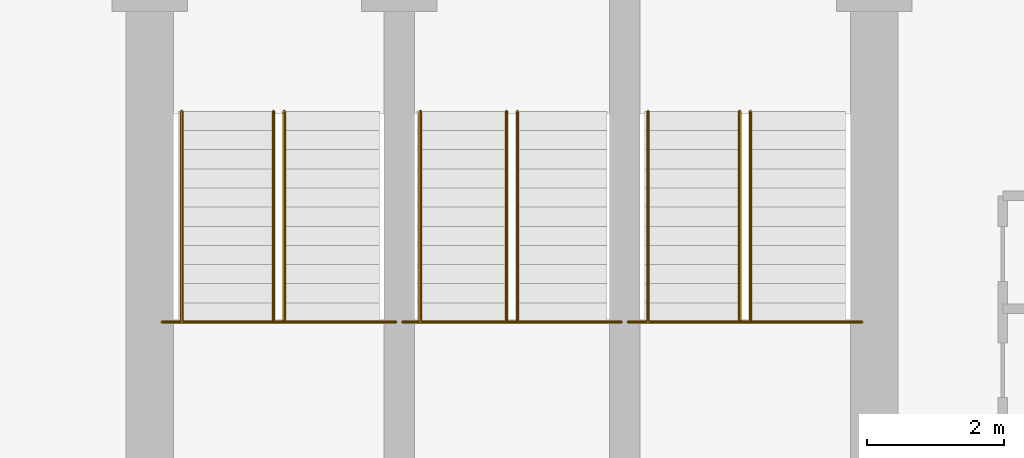
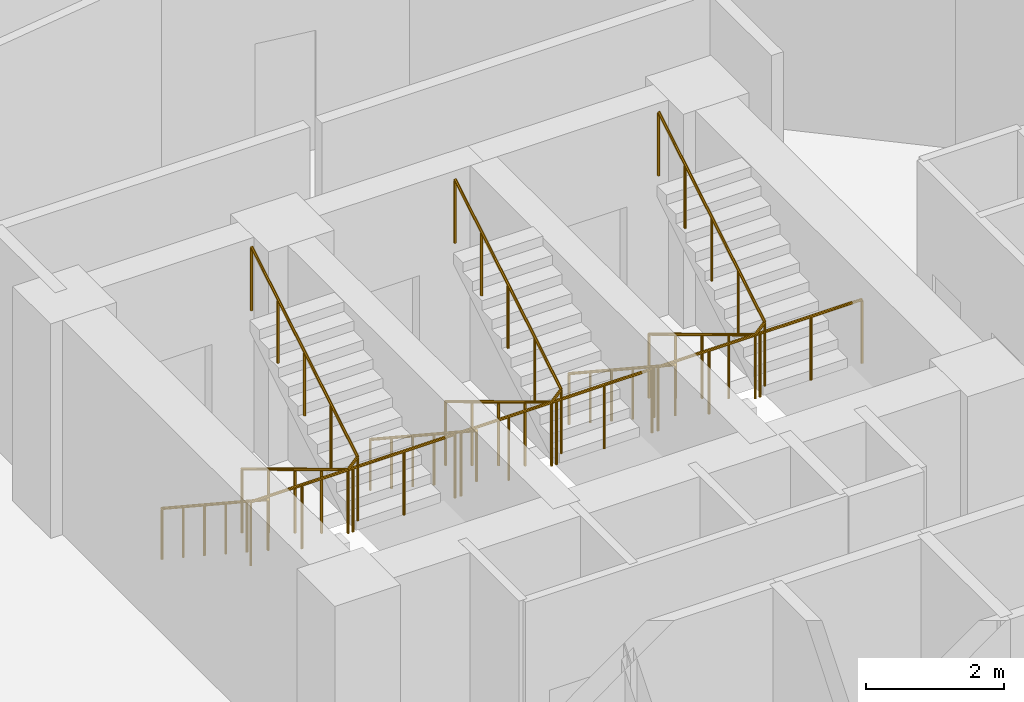
# One storey, part 26 of 26: 9 railings.
"""IFC4 building model written with IfcOpenShell, lengths in metres."""

from ifc_helpers import new_model, si_unit, direction, frame, origin, place, context, subcontext, project, spatial, polyline, outline, extrude, material, type_object, element, save


model = new_model("IFC4")

# Units and contexts
model_context = context("Model", 3, precision=1e-05, world=origin(), true_north=direction((0.0, 1.0)))
body_context = subcontext(model_context, "Body", "Model", "MODEL_VIEW")
ifc_project = project(units=[si_unit("LENGTHUNIT", "METRE"), si_unit("AREAUNIT", "SQUARE_METRE"), si_unit("VOLUMEUNIT", "CUBIC_METRE"), si_unit("PLANEANGLEUNIT", "RADIAN"), si_unit("MASSUNIT", "GRAM", prefix="KILO")], contexts=[model_context])

# Site, building, storey
site_placement = place(None, origin())
site = spatial("IfcSite", under=ifc_project, at=site_placement, CompositionType="ELEMENT")
building_placement = place(site_placement, origin())
building = spatial("IfcBuilding", under=site, at=building_placement, Name="Nuhasar Tower", CompositionType="ELEMENT")
storey_placement = place(building_placement, frame((0.0, 0.0, 93.89990234375)))
storey = spatial("IfcBuildingStorey", under=building, at=storey_placement, Name="L22", CompositionType="ELEMENT", Elevation=93.89990234375)

# Railings
ifc_material_1 = material(Name="Steel S355", Category="steel")
railing_type_1 = type_object("IfcRailingType", Name="RLG-STAIR-GUARD-1150", PredefinedType="GUARDRAIL", material=ifc_material_1)
railing_1_placement = place(storey_placement, frame((33.8798828125, 32.205078125, 2.025146484375)))
element("IfcRailing", 1, at=railing_1_placement, inside=storey, type_object=railing_type_1, Name="L22 Stair ST-01 Guardrail LND", PredefinedType="GUARDRAIL", context=body_context, shape_type="SweptSolid", body=[
    extrude(outline(polyline([(0.024169921875, 0.0), (0.01708984375, 0.01708984375), (0.0, 0.024169921875), (-0.01708984375, 0.01708984375), (-0.024169921875, 0.0), (-0.01708984375, -0.01708984375), (0.0, -0.024169921875), (0.01708984375, -0.01708984375), (0.024169921875, 0.0)])), frame((0.0, 0.0, 1.1259765625), z_axis=(1.0, 0.0, 0.0), x_axis=(0.0, 1.0, 0.0)), (0.0, 0.0, 1.0), 3.420166015625),
    extrude(outline(polyline([(0.02099609375, 0.0), (0.014892578125, 0.014892578125), (0.0, 0.02099609375), (-0.014892578125, 0.014892578125), (-0.02099609375, 0.0), (-0.014892578125, -0.014892578125), (0.0, -0.02099609375), (0.014892578125, -0.014892578125), (0.02099609375, 0.0)])), origin(), (0.0, 0.0, 1.0), 1.101806640625),
    extrude(outline(polyline([(0.02099609375, 0.0), (0.014892578125, 0.014892578125), (0.0, 0.02099609375), (-0.014892578125, 0.014892578125), (-0.02099609375, 0.0), (-0.014892578125, -0.014892578125), (0.0, -0.02099609375), (0.014892578125, -0.014892578125), (0.02099609375, 0.0)])), frame((0.85498046875, 0.0, 0.0)), (0.0, 0.0, 1.0), 1.101806640625),
    extrude(outline(polyline([(0.02099609375, 0.0), (0.014892578125, 0.014892578125), (0.0, 0.02099609375), (-0.014892578125, 0.014892578125), (-0.02099609375, 0.0), (-0.014892578125, -0.014892578125), (0.0, -0.02099609375), (0.014892578125, -0.014892578125), (0.02099609375, 0.0)])), frame((1.7099609375, 0.0, 0.0)), (0.0, 0.0, 1.0), 1.101806640625),
    extrude(outline(polyline([(0.02099609375, 0.0), (0.014892578125, 0.014892578125), (0.0, 0.02099609375), (-0.014892578125, 0.014892578125), (-0.02099609375, 0.0), (-0.014892578125, -0.014892578125), (0.0, -0.02099609375), (0.014892578125, -0.014892578125), (0.02099609375, 0.0)])), frame((2.565185546875, 0.0, 0.0)), (0.0, 0.0, 1.0), 1.101806640625),
    extrude(outline(polyline([(0.02099609375, 0.0), (0.014892578125, 0.014892578125), (0.0, 0.02099609375), (-0.014892578125, 0.014892578125), (-0.02099609375, 0.0), (-0.014892578125, -0.014892578125), (0.0, -0.02099609375), (0.014892578125, -0.014892578125), (0.02099609375, 0.0)])), frame((3.420166015625, 0.0, 0.0)), (0.0, 0.0, 1.0), 1.101806640625),
])
railing_2_placement = place(storey_placement, frame((35.510009765625, 35.284912109375, 0.169189453125)))
element("IfcRailing", 2, at=railing_2_placement, inside=storey, type_object=railing_type_1, Name="L22 Stair ST-01 Guardrail SLT", PredefinedType="GUARDRAIL", context=body_context, shape_type="SweptSolid", body=[
    extrude(outline(polyline([(0.024169921875, 0.0), (0.01708984375, 0.01708984375), (0.0, 0.024169921875), (-0.01708984375, 0.01708984375), (-0.024169921875, 0.0), (-0.01708984375, -0.01708984375), (0.0, -0.024169921875), (0.01708984375, -0.01708984375), (0.024169921875, 0.0)])), frame((0.0, 0.0, 1.1259765625), z_axis=(0.0, -0.856502863198, 0.516142272377), x_axis=(1.0, 0.0, 0.0)), (0.0, 0.0, 1.0), 3.595703125),
    extrude(outline(polyline([(0.024169921875, 0.0), (0.01708984375, 0.01708984375), (0.0, 0.024169921875), (-0.01708984375, 0.01708984375), (-0.024169921875, 0.0), (-0.01708984375, -0.01708984375), (0.0, -0.024169921875), (0.01708984375, -0.01708984375), (0.024169921875, 0.0)])), frame((0.0, -3.079833984375, 2.98193359375), z_axis=(0.687424367727, 0.0, 0.726255973232), x_axis=(0.0, 1.0, 0.0)), (0.0, 0.0, 1.0), 0.232666015625),
    extrude(outline(polyline([(0.024169921875, 0.0), (0.01708984375, 0.01708984375), (0.0, 0.024169921875), (-0.01708984375, 0.01708984375), (-0.024169921875, 0.0), (-0.01708984375, -0.01708984375), (0.0, -0.024169921875), (0.01708984375, -0.01708984375), (0.024169921875, 0.0)])), frame((0.159912109375, -3.079833984375, 3.15087890625), z_axis=(0.0, 0.856502863198, 0.516142272377), x_axis=(-1.0, 0.0, 0.0)), (0.0, 0.0, 1.0), 3.595703125),
    extrude(outline(polyline([(0.02099609375, 0.0), (0.014892578125, 0.014892578125), (0.0, 0.02099609375), (-0.014892578125, 0.014892578125), (-0.02099609375, 0.0), (-0.014892578125, -0.014892578125), (0.0, -0.02099609375), (0.014892578125, -0.014892578125), (0.02099609375, 0.0)])), origin(), (0.0, 0.0, 1.0), 1.101806640625),
    extrude(outline(polyline([(0.02099609375, 0.0), (0.014892578125, 0.014892578125), (0.0, 0.02099609375), (-0.014892578125, 0.014892578125), (-0.02099609375, 0.0), (-0.014892578125, -0.014892578125), (0.0, -0.02099609375), (0.014892578125, -0.014892578125), (0.02099609375, 0.0)])), frame((0.0, -0.77001953125, 0.4638671875)), (0.0, 0.0, 1.0), 1.101806640625),
    extrude(outline(polyline([(0.02099609375, 0.0), (0.014892578125, 0.014892578125), (0.0, 0.02099609375), (-0.014892578125, 0.014892578125), (-0.02099609375, 0.0), (-0.014892578125, -0.014892578125), (0.0, -0.02099609375), (0.014892578125, -0.014892578125), (0.02099609375, 0.0)])), frame((0.0, -1.5400390625, 0.927978515625)), (0.0, 0.0, 1.0), 1.101806640625),
    extrude(outline(polyline([(0.02099609375, 0.0), (0.014892578125, 0.014892578125), (0.0, 0.02099609375), (-0.014892578125, 0.014892578125), (-0.02099609375, 0.0), (-0.014892578125, -0.014892578125), (0.0, -0.02099609375), (0.014892578125, -0.014892578125), (0.02099609375, 0.0)])), frame((0.0, -2.309814453125, 1.39208984375)), (0.0, 0.0, 1.0), 1.101806640625),
    extrude(outline(polyline([(0.02099609375, 0.0), (0.014892578125, 0.014892578125), (0.0, 0.02099609375), (-0.014892578125, 0.014892578125), (-0.02099609375, 0.0), (-0.014892578125, -0.014892578125), (0.0, -0.02099609375), (0.014892578125, -0.014892578125), (0.02099609375, 0.0)])), frame((0.0, -3.079833984375, 1.85595703125)), (0.0, 0.0, 1.0), 1.101806640625),
    extrude(outline(polyline([(0.02099609375, 0.0), (0.014892578125, 0.014892578125), (0.0, 0.02099609375), (-0.014892578125, 0.014892578125), (-0.02099609375, 0.0), (-0.014892578125, -0.014892578125), (0.0, -0.02099609375), (0.014892578125, -0.014892578125), (0.02099609375, 0.0)])), frame((0.159912109375, -3.079833984375, 2.02490234375)), (0.0, 0.0, 1.0), 1.101806640625),
    extrude(outline(polyline([(0.02099609375, 0.0), (0.014892578125, 0.014892578125), (0.0, 0.02099609375), (-0.014892578125, 0.014892578125), (-0.02099609375, 0.0), (-0.014892578125, -0.014892578125), (0.0, -0.02099609375), (0.014892578125, -0.014892578125), (0.02099609375, 0.0)])), frame((0.159912109375, -2.309814453125, 2.48876953125)), (0.0, 0.0, 1.0), 1.101806640625),
    extrude(outline(polyline([(0.02099609375, 0.0), (0.014892578125, 0.014892578125), (0.0, 0.02099609375), (-0.014892578125, 0.014892578125), (-0.02099609375, 0.0), (-0.014892578125, -0.014892578125), (0.0, -0.02099609375), (0.014892578125, -0.014892578125), (0.02099609375, 0.0)])), frame((0.159912109375, -1.5400390625, 2.952880859375)), (0.0, 0.0, 1.0), 1.101806640625),
    extrude(outline(polyline([(0.02099609375, 0.0), (0.014892578125, 0.014892578125), (0.0, 0.02099609375), (-0.014892578125, 0.014892578125), (-0.02099609375, 0.0), (-0.014892578125, -0.014892578125), (0.0, -0.02099609375), (0.014892578125, -0.014892578125), (0.02099609375, 0.0)])), frame((0.159912109375, -0.77001953125, 3.4169921875)), (0.0, 0.0, 1.0), 1.101806640625),
    extrude(outline(polyline([(0.02099609375, 0.0), (0.014892578125, 0.014892578125), (0.0, 0.02099609375), (-0.014892578125, 0.014892578125), (-0.02099609375, 0.0), (-0.014892578125, -0.014892578125), (0.0, -0.02099609375), (0.014892578125, -0.014892578125), (0.02099609375, 0.0)])), frame((0.159912109375, 0.0, 3.880859375)), (0.0, 0.0, 1.0), 1.101806640625),
])
railing_3_placement = place(storey_placement, frame((37.39990234375, 32.205078125, 2.025146484375)))
element("IfcRailing", 3, at=railing_3_placement, inside=storey, type_object=railing_type_1, Name="L22 Stair ST-03 Guardrail LND", PredefinedType="GUARDRAIL", context=body_context, shape_type="SweptSolid", body=[
    extrude(outline(polyline([(0.024169921875, 0.0), (0.01708984375, 0.01708984375), (0.0, 0.024169921875), (-0.01708984375, 0.01708984375), (-0.024169921875, 0.0), (-0.01708984375, -0.01708984375), (0.0, -0.024169921875), (0.01708984375, -0.01708984375), (0.024169921875, 0.0)])), frame((0.0, 0.0, 1.1259765625), z_axis=(1.0, 0.0, 0.0), x_axis=(0.0, 1.0, 0.0)), (0.0, 0.0, 1.0), 3.2001953125),
    extrude(outline(polyline([(0.02099609375, 0.0), (0.014892578125, 0.014892578125), (0.0, 0.02099609375), (-0.014892578125, 0.014892578125), (-0.02099609375, 0.0), (-0.014892578125, -0.014892578125), (0.0, -0.02099609375), (0.014892578125, -0.014892578125), (0.02099609375, 0.0)])), origin(), (0.0, 0.0, 1.0), 1.101806640625),
    extrude(outline(polyline([(0.02099609375, 0.0), (0.014892578125, 0.014892578125), (0.0, 0.02099609375), (-0.014892578125, 0.014892578125), (-0.02099609375, 0.0), (-0.014892578125, -0.014892578125), (0.0, -0.02099609375), (0.014892578125, -0.014892578125), (0.02099609375, 0.0)])), frame((0.800048828125, 0.0, 0.0)), (0.0, 0.0, 1.0), 1.101806640625),
    extrude(outline(polyline([(0.02099609375, 0.0), (0.014892578125, 0.014892578125), (0.0, 0.02099609375), (-0.014892578125, 0.014892578125), (-0.02099609375, 0.0), (-0.014892578125, -0.014892578125), (0.0, -0.02099609375), (0.014892578125, -0.014892578125), (0.02099609375, 0.0)])), frame((1.60009765625, 0.0, 0.0)), (0.0, 0.0, 1.0), 1.101806640625),
    extrude(outline(polyline([(0.02099609375, 0.0), (0.014892578125, 0.014892578125), (0.0, 0.02099609375), (-0.014892578125, 0.014892578125), (-0.02099609375, 0.0), (-0.014892578125, -0.014892578125), (0.0, -0.02099609375), (0.014892578125, -0.014892578125), (0.02099609375, 0.0)])), frame((2.400146484375, 0.0, 0.0)), (0.0, 0.0, 1.0), 1.101806640625),
    extrude(outline(polyline([(0.02099609375, 0.0), (0.014892578125, 0.014892578125), (0.0, 0.02099609375), (-0.014892578125, 0.014892578125), (-0.02099609375, 0.0), (-0.014892578125, -0.014892578125), (0.0, -0.02099609375), (0.014892578125, -0.014892578125), (0.02099609375, 0.0)])), frame((3.2001953125, 0.0, 0.0)), (0.0, 0.0, 1.0), 1.101806640625),
])
railing_4_placement = place(storey_placement, frame((38.919921875, 35.284912109375, 0.169189453125)))
element("IfcRailing", 4, at=railing_4_placement, inside=storey, type_object=railing_type_1, Name="L22 Stair ST-03 Guardrail SLT", PredefinedType="GUARDRAIL", context=body_context, shape_type="SweptSolid", body=[
    extrude(outline(polyline([(0.024169921875, 0.0), (0.01708984375, 0.01708984375), (0.0, 0.024169921875), (-0.01708984375, 0.01708984375), (-0.024169921875, 0.0), (-0.01708984375, -0.01708984375), (0.0, -0.024169921875), (0.01708984375, -0.01708984375), (0.024169921875, 0.0)])), frame((0.0, 0.0, 1.1259765625), z_axis=(0.0, -0.856502863198, 0.516142272377), x_axis=(1.0, 0.0, 0.0)), (0.0, 0.0, 1.0), 3.595703125),
    extrude(outline(polyline([(0.024169921875, 0.0), (0.01708984375, 0.01708984375), (0.0, 0.024169921875), (-0.01708984375, 0.01708984375), (-0.024169921875, 0.0), (-0.01708984375, -0.01708984375), (0.0, -0.024169921875), (0.01708984375, -0.01708984375), (0.024169921875, 0.0)])), frame((0.0, -3.079833984375, 2.98193359375), z_axis=(0.687977326998, 0.0, 0.725732180309), x_axis=(0.0, 1.0, 0.0)), (0.0, 0.0, 1.0), 0.23291015625),
    extrude(outline(polyline([(0.024169921875, 0.0), (0.01708984375, 0.01708984375), (0.0, 0.024169921875), (-0.01708984375, 0.01708984375), (-0.024169921875, 0.0), (-0.01708984375, -0.01708984375), (0.0, -0.024169921875), (0.01708984375, -0.01708984375), (0.024169921875, 0.0)])), frame((0.16015625, -3.079833984375, 3.15087890625), z_axis=(0.0, 0.856502863198, 0.516142272377), x_axis=(-1.0, 0.0, 0.0)), (0.0, 0.0, 1.0), 3.595703125),
    extrude(outline(polyline([(0.02099609375, 0.0), (0.014892578125, 0.014892578125), (0.0, 0.02099609375), (-0.014892578125, 0.014892578125), (-0.02099609375, 0.0), (-0.014892578125, -0.014892578125), (0.0, -0.02099609375), (0.014892578125, -0.014892578125), (0.02099609375, 0.0)])), origin(), (0.0, 0.0, 1.0), 1.101806640625),
    extrude(outline(polyline([(0.02099609375, 0.0), (0.014892578125, 0.014892578125), (0.0, 0.02099609375), (-0.014892578125, 0.014892578125), (-0.02099609375, 0.0), (-0.014892578125, -0.014892578125), (0.0, -0.02099609375), (0.014892578125, -0.014892578125), (0.02099609375, 0.0)])), frame((0.0, -0.77001953125, 0.4638671875)), (0.0, 0.0, 1.0), 1.101806640625),
    extrude(outline(polyline([(0.02099609375, 0.0), (0.014892578125, 0.014892578125), (0.0, 0.02099609375), (-0.014892578125, 0.014892578125), (-0.02099609375, 0.0), (-0.014892578125, -0.014892578125), (0.0, -0.02099609375), (0.014892578125, -0.014892578125), (0.02099609375, 0.0)])), frame((0.0, -1.5400390625, 0.927978515625)), (0.0, 0.0, 1.0), 1.101806640625),
    extrude(outline(polyline([(0.02099609375, 0.0), (0.014892578125, 0.014892578125), (0.0, 0.02099609375), (-0.014892578125, 0.014892578125), (-0.02099609375, 0.0), (-0.014892578125, -0.014892578125), (0.0, -0.02099609375), (0.014892578125, -0.014892578125), (0.02099609375, 0.0)])), frame((0.0, -2.309814453125, 1.39208984375)), (0.0, 0.0, 1.0), 1.101806640625),
    extrude(outline(polyline([(0.02099609375, 0.0), (0.014892578125, 0.014892578125), (0.0, 0.02099609375), (-0.014892578125, 0.014892578125), (-0.02099609375, 0.0), (-0.014892578125, -0.014892578125), (0.0, -0.02099609375), (0.014892578125, -0.014892578125), (0.02099609375, 0.0)])), frame((0.0, -3.079833984375, 1.85595703125)), (0.0, 0.0, 1.0), 1.101806640625),
    extrude(outline(polyline([(0.02099609375, 0.0), (0.014892578125, 0.014892578125), (0.0, 0.02099609375), (-0.014892578125, 0.014892578125), (-0.02099609375, 0.0), (-0.014892578125, -0.014892578125), (0.0, -0.02099609375), (0.014892578125, -0.014892578125), (0.02099609375, 0.0)])), frame((0.16015625, -3.079833984375, 2.02490234375)), (0.0, 0.0, 1.0), 1.101806640625),
    extrude(outline(polyline([(0.02099609375, 0.0), (0.014892578125, 0.014892578125), (0.0, 0.02099609375), (-0.014892578125, 0.014892578125), (-0.02099609375, 0.0), (-0.014892578125, -0.014892578125), (0.0, -0.02099609375), (0.014892578125, -0.014892578125), (0.02099609375, 0.0)])), frame((0.16015625, -2.309814453125, 2.48876953125)), (0.0, 0.0, 1.0), 1.101806640625),
    extrude(outline(polyline([(0.02099609375, 0.0), (0.014892578125, 0.014892578125), (0.0, 0.02099609375), (-0.014892578125, 0.014892578125), (-0.02099609375, 0.0), (-0.014892578125, -0.014892578125), (0.0, -0.02099609375), (0.014892578125, -0.014892578125), (0.02099609375, 0.0)])), frame((0.16015625, -1.5400390625, 2.952880859375)), (0.0, 0.0, 1.0), 1.101806640625),
    extrude(outline(polyline([(0.02099609375, 0.0), (0.014892578125, 0.014892578125), (0.0, 0.02099609375), (-0.014892578125, 0.014892578125), (-0.02099609375, 0.0), (-0.014892578125, -0.014892578125), (0.0, -0.02099609375), (0.014892578125, -0.014892578125), (0.02099609375, 0.0)])), frame((0.16015625, -0.77001953125, 3.4169921875)), (0.0, 0.0, 1.0), 1.101806640625),
    extrude(outline(polyline([(0.02099609375, 0.0), (0.014892578125, 0.014892578125), (0.0, 0.02099609375), (-0.014892578125, 0.014892578125), (-0.02099609375, 0.0), (-0.014892578125, -0.014892578125), (0.0, -0.02099609375), (0.014892578125, -0.014892578125), (0.02099609375, 0.0)])), frame((0.16015625, 0.0, 3.880859375)), (0.0, 0.0, 1.0), 1.101806640625),
])
railing_5_placement = place(storey_placement, frame((40.699951171875, 32.205078125, 2.025146484375)))
element("IfcRailing", 5, at=railing_5_placement, inside=storey, type_object=railing_type_1, Name="L22 Stair ST-02 Guardrail LND", PredefinedType="GUARDRAIL", context=body_context, shape_type="SweptSolid", body=[
    extrude(outline(polyline([(0.024169921875, 0.0), (0.01708984375, 0.01708984375), (0.0, 0.024169921875), (-0.01708984375, 0.01708984375), (-0.024169921875, 0.0), (-0.01708984375, -0.01708984375), (0.0, -0.024169921875), (0.01708984375, -0.01708984375), (0.024169921875, 0.0)])), frame((0.0, 0.0, 1.1259765625), z_axis=(1.0, 0.0, 0.0), x_axis=(0.0, 1.0, 0.0)), (0.0, 0.0, 1.0), 3.420166015625),
    extrude(outline(polyline([(0.02099609375, 0.0), (0.014892578125, 0.014892578125), (0.0, 0.02099609375), (-0.014892578125, 0.014892578125), (-0.02099609375, 0.0), (-0.014892578125, -0.014892578125), (0.0, -0.02099609375), (0.014892578125, -0.014892578125), (0.02099609375, 0.0)])), origin(), (0.0, 0.0, 1.0), 1.101806640625),
    extrude(outline(polyline([(0.02099609375, 0.0), (0.014892578125, 0.014892578125), (0.0, 0.02099609375), (-0.014892578125, 0.014892578125), (-0.02099609375, 0.0), (-0.014892578125, -0.014892578125), (0.0, -0.02099609375), (0.014892578125, -0.014892578125), (0.02099609375, 0.0)])), frame((0.85498046875, 0.0, 0.0)), (0.0, 0.0, 1.0), 1.101806640625),
    extrude(outline(polyline([(0.02099609375, 0.0), (0.014892578125, 0.014892578125), (0.0, 0.02099609375), (-0.014892578125, 0.014892578125), (-0.02099609375, 0.0), (-0.014892578125, -0.014892578125), (0.0, -0.02099609375), (0.014892578125, -0.014892578125), (0.02099609375, 0.0)])), frame((1.7099609375, 0.0, 0.0)), (0.0, 0.0, 1.0), 1.101806640625),
    extrude(outline(polyline([(0.02099609375, 0.0), (0.014892578125, 0.014892578125), (0.0, 0.02099609375), (-0.014892578125, 0.014892578125), (-0.02099609375, 0.0), (-0.014892578125, -0.014892578125), (0.0, -0.02099609375), (0.014892578125, -0.014892578125), (0.02099609375, 0.0)])), frame((2.565185546875, 0.0, 0.0)), (0.0, 0.0, 1.0), 1.101806640625),
    extrude(outline(polyline([(0.02099609375, 0.0), (0.014892578125, 0.014892578125), (0.0, 0.02099609375), (-0.014892578125, 0.014892578125), (-0.02099609375, 0.0), (-0.014892578125, -0.014892578125), (0.0, -0.02099609375), (0.014892578125, -0.014892578125), (0.02099609375, 0.0)])), frame((3.420166015625, 0.0, 0.0)), (0.0, 0.0, 1.0), 1.101806640625),
])
railing_6_placement = place(storey_placement, frame((42.330078125, 35.284912109375, 0.169189453125)))
element("IfcRailing", 6, at=railing_6_placement, inside=storey, type_object=railing_type_1, Name="L22 Stair ST-02 Guardrail SLT", PredefinedType="GUARDRAIL", context=body_context, shape_type="SweptSolid", body=[
    extrude(outline(polyline([(0.024169921875, 0.0), (0.01708984375, 0.01708984375), (0.0, 0.024169921875), (-0.01708984375, 0.01708984375), (-0.024169921875, 0.0), (-0.01708984375, -0.01708984375), (0.0, -0.024169921875), (0.01708984375, -0.01708984375), (0.024169921875, 0.0)])), frame((0.0, 0.0, 1.1259765625), z_axis=(0.0, -0.856502863198, 0.516142272377), x_axis=(1.0, 0.0, 0.0)), (0.0, 0.0, 1.0), 3.595703125),
    extrude(outline(polyline([(0.024169921875, 0.0), (0.01708984375, 0.01708984375), (0.0, 0.024169921875), (-0.01708984375, 0.01708984375), (-0.024169921875, 0.0), (-0.01708984375, -0.01708984375), (0.0, -0.024169921875), (0.01708984375, -0.01708984375), (0.024169921875, 0.0)])), frame((0.0, -3.079833984375, 2.98193359375), z_axis=(0.687424367727, 0.0, 0.726255973232), x_axis=(0.0, 1.0, 0.0)), (0.0, 0.0, 1.0), 0.232666015625),
    extrude(outline(polyline([(0.024169921875, 0.0), (0.01708984375, 0.01708984375), (0.0, 0.024169921875), (-0.01708984375, 0.01708984375), (-0.024169921875, 0.0), (-0.01708984375, -0.01708984375), (0.0, -0.024169921875), (0.01708984375, -0.01708984375), (0.024169921875, 0.0)])), frame((0.159912109375, -3.079833984375, 3.15087890625), z_axis=(0.0, 0.856502863198, 0.516142272377), x_axis=(-1.0, 0.0, 0.0)), (0.0, 0.0, 1.0), 3.595703125),
    extrude(outline(polyline([(0.02099609375, 0.0), (0.014892578125, 0.014892578125), (0.0, 0.02099609375), (-0.014892578125, 0.014892578125), (-0.02099609375, 0.0), (-0.014892578125, -0.014892578125), (0.0, -0.02099609375), (0.014892578125, -0.014892578125), (0.02099609375, 0.0)])), origin(), (0.0, 0.0, 1.0), 1.101806640625),
    extrude(outline(polyline([(0.02099609375, 0.0), (0.014892578125, 0.014892578125), (0.0, 0.02099609375), (-0.014892578125, 0.014892578125), (-0.02099609375, 0.0), (-0.014892578125, -0.014892578125), (0.0, -0.02099609375), (0.014892578125, -0.014892578125), (0.02099609375, 0.0)])), frame((0.0, -0.77001953125, 0.4638671875)), (0.0, 0.0, 1.0), 1.101806640625),
    extrude(outline(polyline([(0.02099609375, 0.0), (0.014892578125, 0.014892578125), (0.0, 0.02099609375), (-0.014892578125, 0.014892578125), (-0.02099609375, 0.0), (-0.014892578125, -0.014892578125), (0.0, -0.02099609375), (0.014892578125, -0.014892578125), (0.02099609375, 0.0)])), frame((0.0, -1.5400390625, 0.927978515625)), (0.0, 0.0, 1.0), 1.101806640625),
    extrude(outline(polyline([(0.02099609375, 0.0), (0.014892578125, 0.014892578125), (0.0, 0.02099609375), (-0.014892578125, 0.014892578125), (-0.02099609375, 0.0), (-0.014892578125, -0.014892578125), (0.0, -0.02099609375), (0.014892578125, -0.014892578125), (0.02099609375, 0.0)])), frame((0.0, -2.309814453125, 1.39208984375)), (0.0, 0.0, 1.0), 1.101806640625),
    extrude(outline(polyline([(0.02099609375, 0.0), (0.014892578125, 0.014892578125), (0.0, 0.02099609375), (-0.014892578125, 0.014892578125), (-0.02099609375, 0.0), (-0.014892578125, -0.014892578125), (0.0, -0.02099609375), (0.014892578125, -0.014892578125), (0.02099609375, 0.0)])), frame((0.0, -3.079833984375, 1.85595703125)), (0.0, 0.0, 1.0), 1.101806640625),
    extrude(outline(polyline([(0.02099609375, 0.0), (0.014892578125, 0.014892578125), (0.0, 0.02099609375), (-0.014892578125, 0.014892578125), (-0.02099609375, 0.0), (-0.014892578125, -0.014892578125), (0.0, -0.02099609375), (0.014892578125, -0.014892578125), (0.02099609375, 0.0)])), frame((0.159912109375, -3.079833984375, 2.02490234375)), (0.0, 0.0, 1.0), 1.101806640625),
    extrude(outline(polyline([(0.02099609375, 0.0), (0.014892578125, 0.014892578125), (0.0, 0.02099609375), (-0.014892578125, 0.014892578125), (-0.02099609375, 0.0), (-0.014892578125, -0.014892578125), (0.0, -0.02099609375), (0.014892578125, -0.014892578125), (0.02099609375, 0.0)])), frame((0.159912109375, -2.309814453125, 2.48876953125)), (0.0, 0.0, 1.0), 1.101806640625),
    extrude(outline(polyline([(0.02099609375, 0.0), (0.014892578125, 0.014892578125), (0.0, 0.02099609375), (-0.014892578125, 0.014892578125), (-0.02099609375, 0.0), (-0.014892578125, -0.014892578125), (0.0, -0.02099609375), (0.014892578125, -0.014892578125), (0.02099609375, 0.0)])), frame((0.159912109375, -1.5400390625, 2.952880859375)), (0.0, 0.0, 1.0), 1.101806640625),
    extrude(outline(polyline([(0.02099609375, 0.0), (0.014892578125, 0.014892578125), (0.0, 0.02099609375), (-0.014892578125, 0.014892578125), (-0.02099609375, 0.0), (-0.014892578125, -0.014892578125), (0.0, -0.02099609375), (0.014892578125, -0.014892578125), (0.02099609375, 0.0)])), frame((0.159912109375, -0.77001953125, 3.4169921875)), (0.0, 0.0, 1.0), 1.101806640625),
    extrude(outline(polyline([(0.02099609375, 0.0), (0.014892578125, 0.014892578125), (0.0, 0.02099609375), (-0.014892578125, 0.014892578125), (-0.02099609375, 0.0), (-0.014892578125, -0.014892578125), (0.0, -0.02099609375), (0.014892578125, -0.014892578125), (0.02099609375, 0.0)])), frame((0.159912109375, 0.0, 3.880859375)), (0.0, 0.0, 1.0), 1.101806640625),
])
ifc_material_2 = material(Name="Stainless Steel 316L", Category="steel")
railing_type_2 = type_object("IfcRailingType", Name="RLG-STAIR-HAND-920", PredefinedType="HANDRAIL", material=ifc_material_2)
railing_7_placement = place(storey_placement, frame((34.169921875, 35.284912109375, 0.169189453125)))
element("IfcRailing", 7, at=railing_7_placement, inside=storey, type_object=railing_type_2, Name="L22 Stair ST-01 Handrail HND1", PredefinedType="HANDRAIL", context=body_context, shape_type="SweptSolid", body=[
    extrude(outline(polyline([(0.024169921875, 0.0), (0.01708984375, 0.01708984375), (0.0, 0.024169921875), (-0.01708984375, 0.01708984375), (-0.024169921875, 0.0), (-0.01708984375, -0.01708984375), (0.0, -0.024169921875), (0.01708984375, -0.01708984375), (0.024169921875, 0.0)])), frame((0.0, 0.0, 0.89599609375), z_axis=(0.0, -0.83557951683, 0.54936952141), x_axis=(1.0, 0.0, 0.0)), (0.0, 0.0, 1.0), 3.685791015625),
    extrude(outline(polyline([(0.02099609375, 0.0), (0.014892578125, 0.014892578125), (0.0, 0.02099609375), (-0.014892578125, 0.014892578125), (-0.02099609375, 0.0), (-0.014892578125, -0.014892578125), (0.0, -0.02099609375), (0.014892578125, -0.014892578125), (0.02099609375, 0.0)])), origin(), (0.0, 0.0, 1.0), 0.871826171875),
    extrude(outline(polyline([(0.02099609375, 0.0), (0.014892578125, 0.014892578125), (0.0, 0.02099609375), (-0.014892578125, 0.014892578125), (-0.02099609375, 0.0), (-0.014892578125, -0.014892578125), (0.0, -0.02099609375), (0.014892578125, -0.014892578125), (0.02099609375, 0.0)])), frame((0.0, -0.615966796875, 0.405029296875)), (0.0, 0.0, 1.0), 0.871826171875),
    extrude(outline(polyline([(0.02099609375, 0.0), (0.014892578125, 0.014892578125), (0.0, 0.02099609375), (-0.014892578125, 0.014892578125), (-0.02099609375, 0.0), (-0.014892578125, -0.014892578125), (0.0, -0.02099609375), (0.014892578125, -0.014892578125), (0.02099609375, 0.0)])), frame((0.0, -1.23193359375, 0.81005859375)), (0.0, 0.0, 1.0), 0.871826171875),
    extrude(outline(polyline([(0.02099609375, 0.0), (0.014892578125, 0.014892578125), (0.0, 0.02099609375), (-0.014892578125, 0.014892578125), (-0.02099609375, 0.0), (-0.014892578125, -0.014892578125), (0.0, -0.02099609375), (0.014892578125, -0.014892578125), (0.02099609375, 0.0)])), frame((0.0, -1.847900390625, 1.21484375)), (0.0, 0.0, 1.0), 0.871826171875),
    extrude(outline(polyline([(0.02099609375, 0.0), (0.014892578125, 0.014892578125), (0.0, 0.02099609375), (-0.014892578125, 0.014892578125), (-0.02099609375, 0.0), (-0.014892578125, -0.014892578125), (0.0, -0.02099609375), (0.014892578125, -0.014892578125), (0.02099609375, 0.0)])), frame((0.0, -2.4638671875, 1.619873046875)), (0.0, 0.0, 1.0), 0.871826171875),
    extrude(outline(polyline([(0.02099609375, 0.0), (0.014892578125, 0.014892578125), (0.0, 0.02099609375), (-0.014892578125, 0.014892578125), (-0.02099609375, 0.0), (-0.014892578125, -0.014892578125), (0.0, -0.02099609375), (0.014892578125, -0.014892578125), (0.02099609375, 0.0)])), frame((0.0, -3.079833984375, 2.02490234375)), (0.0, 0.0, 1.0), 0.871826171875),
])
railing_8_placement = place(storey_placement, frame((37.659912109375, 35.284912109375, 0.169189453125)))
element("IfcRailing", 8, at=railing_8_placement, inside=storey, type_object=railing_type_2, Name="L22 Stair ST-03 Handrail HND1", PredefinedType="HANDRAIL", context=body_context, shape_type="SweptSolid", body=[
    extrude(outline(polyline([(0.024169921875, 0.0), (0.01708984375, 0.01708984375), (0.0, 0.024169921875), (-0.01708984375, 0.01708984375), (-0.024169921875, 0.0), (-0.01708984375, -0.01708984375), (0.0, -0.024169921875), (0.01708984375, -0.01708984375), (0.024169921875, 0.0)])), frame((0.0, 0.0, 0.89599609375), z_axis=(0.0, -0.83557951683, 0.54936952141), x_axis=(1.0, 0.0, 0.0)), (0.0, 0.0, 1.0), 3.685791015625),
    extrude(outline(polyline([(0.02099609375, 0.0), (0.014892578125, 0.014892578125), (0.0, 0.02099609375), (-0.014892578125, 0.014892578125), (-0.02099609375, 0.0), (-0.014892578125, -0.014892578125), (0.0, -0.02099609375), (0.014892578125, -0.014892578125), (0.02099609375, 0.0)])), origin(), (0.0, 0.0, 1.0), 0.871826171875),
    extrude(outline(polyline([(0.02099609375, 0.0), (0.014892578125, 0.014892578125), (0.0, 0.02099609375), (-0.014892578125, 0.014892578125), (-0.02099609375, 0.0), (-0.014892578125, -0.014892578125), (0.0, -0.02099609375), (0.014892578125, -0.014892578125), (0.02099609375, 0.0)])), frame((0.0, -0.615966796875, 0.405029296875)), (0.0, 0.0, 1.0), 0.871826171875),
    extrude(outline(polyline([(0.02099609375, 0.0), (0.014892578125, 0.014892578125), (0.0, 0.02099609375), (-0.014892578125, 0.014892578125), (-0.02099609375, 0.0), (-0.014892578125, -0.014892578125), (0.0, -0.02099609375), (0.014892578125, -0.014892578125), (0.02099609375, 0.0)])), frame((0.0, -1.23193359375, 0.81005859375)), (0.0, 0.0, 1.0), 0.871826171875),
    extrude(outline(polyline([(0.02099609375, 0.0), (0.014892578125, 0.014892578125), (0.0, 0.02099609375), (-0.014892578125, 0.014892578125), (-0.02099609375, 0.0), (-0.014892578125, -0.014892578125), (0.0, -0.02099609375), (0.014892578125, -0.014892578125), (0.02099609375, 0.0)])), frame((0.0, -1.847900390625, 1.21484375)), (0.0, 0.0, 1.0), 0.871826171875),
    extrude(outline(polyline([(0.02099609375, 0.0), (0.014892578125, 0.014892578125), (0.0, 0.02099609375), (-0.014892578125, 0.014892578125), (-0.02099609375, 0.0), (-0.014892578125, -0.014892578125), (0.0, -0.02099609375), (0.014892578125, -0.014892578125), (0.02099609375, 0.0)])), frame((0.0, -2.4638671875, 1.619873046875)), (0.0, 0.0, 1.0), 0.871826171875),
    extrude(outline(polyline([(0.02099609375, 0.0), (0.014892578125, 0.014892578125), (0.0, 0.02099609375), (-0.014892578125, 0.014892578125), (-0.02099609375, 0.0), (-0.014892578125, -0.014892578125), (0.0, -0.02099609375), (0.014892578125, -0.014892578125), (0.02099609375, 0.0)])), frame((0.0, -3.079833984375, 2.02490234375)), (0.0, 0.0, 1.0), 0.871826171875),
])
railing_9_placement = place(storey_placement, frame((40.989990234375, 35.284912109375, 0.169189453125)))
element("IfcRailing", 9, at=railing_9_placement, inside=storey, type_object=railing_type_2, Name="L22 Stair ST-02 Handrail HND1", PredefinedType="HANDRAIL", context=body_context, shape_type="SweptSolid", body=[
    extrude(outline(polyline([(0.024169921875, 0.0), (0.01708984375, 0.01708984375), (0.0, 0.024169921875), (-0.01708984375, 0.01708984375), (-0.024169921875, 0.0), (-0.01708984375, -0.01708984375), (0.0, -0.024169921875), (0.01708984375, -0.01708984375), (0.024169921875, 0.0)])), frame((0.0, 0.0, 0.89599609375), z_axis=(0.0, -0.83557951683, 0.54936952141), x_axis=(1.0, 0.0, 0.0)), (0.0, 0.0, 1.0), 3.685791015625),
    extrude(outline(polyline([(0.02099609375, 0.0), (0.014892578125, 0.014892578125), (0.0, 0.02099609375), (-0.014892578125, 0.014892578125), (-0.02099609375, 0.0), (-0.014892578125, -0.014892578125), (0.0, -0.02099609375), (0.014892578125, -0.014892578125), (0.02099609375, 0.0)])), origin(), (0.0, 0.0, 1.0), 0.871826171875),
    extrude(outline(polyline([(0.02099609375, 0.0), (0.014892578125, 0.014892578125), (0.0, 0.02099609375), (-0.014892578125, 0.014892578125), (-0.02099609375, 0.0), (-0.014892578125, -0.014892578125), (0.0, -0.02099609375), (0.014892578125, -0.014892578125), (0.02099609375, 0.0)])), frame((0.0, -0.615966796875, 0.405029296875)), (0.0, 0.0, 1.0), 0.871826171875),
    extrude(outline(polyline([(0.02099609375, 0.0), (0.014892578125, 0.014892578125), (0.0, 0.02099609375), (-0.014892578125, 0.014892578125), (-0.02099609375, 0.0), (-0.014892578125, -0.014892578125), (0.0, -0.02099609375), (0.014892578125, -0.014892578125), (0.02099609375, 0.0)])), frame((0.0, -1.23193359375, 0.81005859375)), (0.0, 0.0, 1.0), 0.871826171875),
    extrude(outline(polyline([(0.02099609375, 0.0), (0.014892578125, 0.014892578125), (0.0, 0.02099609375), (-0.014892578125, 0.014892578125), (-0.02099609375, 0.0), (-0.014892578125, -0.014892578125), (0.0, -0.02099609375), (0.014892578125, -0.014892578125), (0.02099609375, 0.0)])), frame((0.0, -1.847900390625, 1.21484375)), (0.0, 0.0, 1.0), 0.871826171875),
    extrude(outline(polyline([(0.02099609375, 0.0), (0.014892578125, 0.014892578125), (0.0, 0.02099609375), (-0.014892578125, 0.014892578125), (-0.02099609375, 0.0), (-0.014892578125, -0.014892578125), (0.0, -0.02099609375), (0.014892578125, -0.014892578125), (0.02099609375, 0.0)])), frame((0.0, -2.4638671875, 1.619873046875)), (0.0, 0.0, 1.0), 0.871826171875),
    extrude(outline(polyline([(0.02099609375, 0.0), (0.014892578125, 0.014892578125), (0.0, 0.02099609375), (-0.014892578125, 0.014892578125), (-0.02099609375, 0.0), (-0.014892578125, -0.014892578125), (0.0, -0.02099609375), (0.014892578125, -0.014892578125), (0.02099609375, 0.0)])), frame((0.0, -3.079833984375, 2.02490234375)), (0.0, 0.0, 1.0), 0.871826171875),
])

save(model, "model.ifc")
